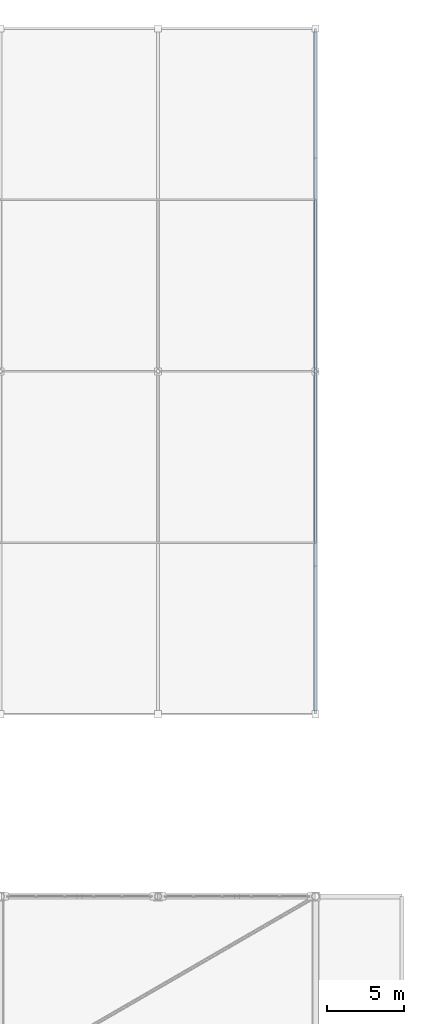
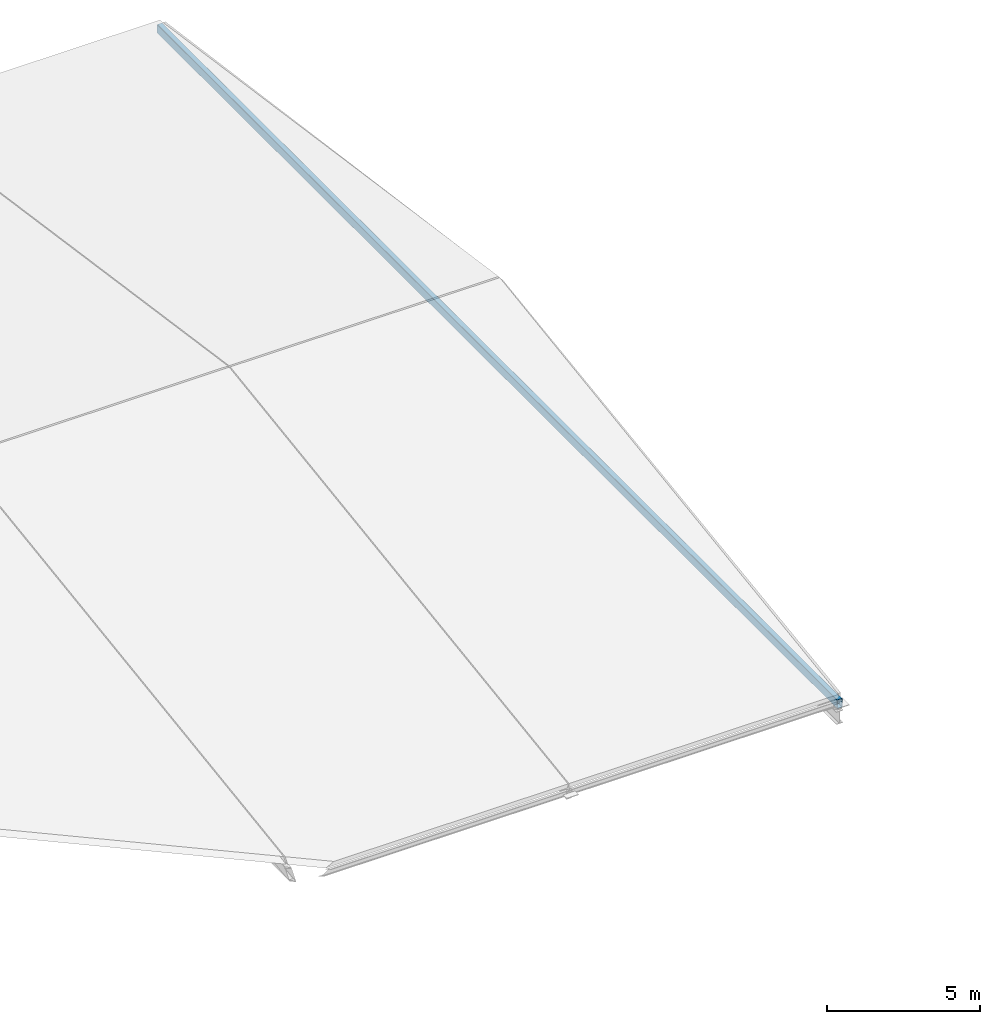
# One storey, part 90 of 135: 1 member.
"""IFC4 building model written with IfcOpenShell, lengths in metres."""

from ifc_helpers import new_model, si_unit, direction, frame, origin, origin_2d, place, context, subcontext, project, spatial, hollow_rectangle, extrude, material, material_profile, profile_set, type_object, element, save


model = new_model("IFC4")

# Units and contexts
model_context = context("Model", 3, precision=1e-05, world=origin(), true_north=direction((0.0, 1.0)))
body_context = subcontext(model_context, "Body", "Model", "MODEL_VIEW")
ifc_project = project(units=[si_unit("LENGTHUNIT", "METRE"), si_unit("AREAUNIT", "SQUARE_METRE"), si_unit("VOLUMEUNIT", "CUBIC_METRE"), si_unit("PLANEANGLEUNIT", "RADIAN"), si_unit("MASSUNIT", "GRAM", prefix="KILO")], contexts=[model_context])

# Site, building, storey
site_placement = place(None, origin())
site = spatial("IfcSite", under=ifc_project, at=site_placement, CompositionType="ELEMENT")
building_placement = place(site_placement, origin())
building = spatial("IfcBuilding", under=site, at=building_placement, Name="Brelvane Convention Centre", CompositionType="ELEMENT")
storey_placement = place(building_placement, frame((0.0, 0.0, 15.0)))
storey = spatial("IfcBuildingStorey", under=building, at=storey_placement, Name="L03", CompositionType="ELEMENT", Elevation=15.0)

# Member
ifc_material = material(Name="Steel E350 (350 MPa)", Category="steel")
ifc_material_profile = material_profile(ifc_material, hollow_rectangle(XDim=0.199951171875, YDim=0.35009765625, WallThickness=0.012451171875, InnerFilletRadius=0.012451171875, OuterFilletRadius=0.02490234375, at=origin_2d()), Name="RHS 350x200x12.5")
ifc_profile_set = profile_set([ifc_material_profile], Name="Steel E350 (350 MPa)")
member_type = type_object("IfcMemberType", Name="Steel Chord TR-CH1 (RHS 350x200x12.5)", PredefinedType="CHORD", material=ifc_profile_set)
member_placement = place(storey_placement, frame((224.39990234375, 99.60009765625, -0.35009765625), z_axis=(0.0, 1.0, 0.0), x_axis=(-1.0, 0.0, 0.0)))
element("IfcMember", 1, at=member_placement, inside=storey, type_object=member_type, Name="Ballroom Roof Truss Bottom Chord T6", PredefinedType="CHORD", context=body_context, shape_type="SweptSolid", body=[
    extrude(hollow_rectangle(XDim=0.199951171875, YDim=0.35009765625, WallThickness=0.012451171875, InnerFilletRadius=0.012451171875, OuterFilletRadius=0.02490234375, at=origin_2d()), origin(), (0.0, 0.0, 1.0), 44.39990234375),
])

save(model, "model.ifc")
